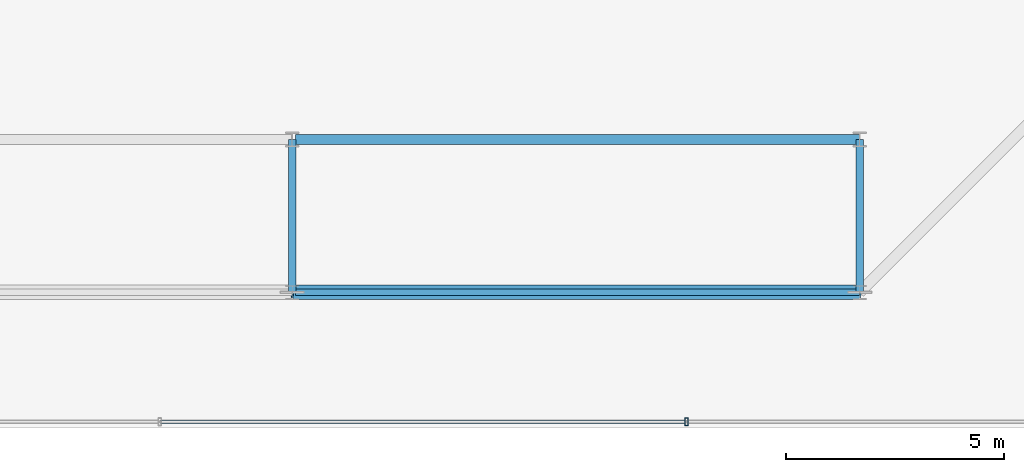
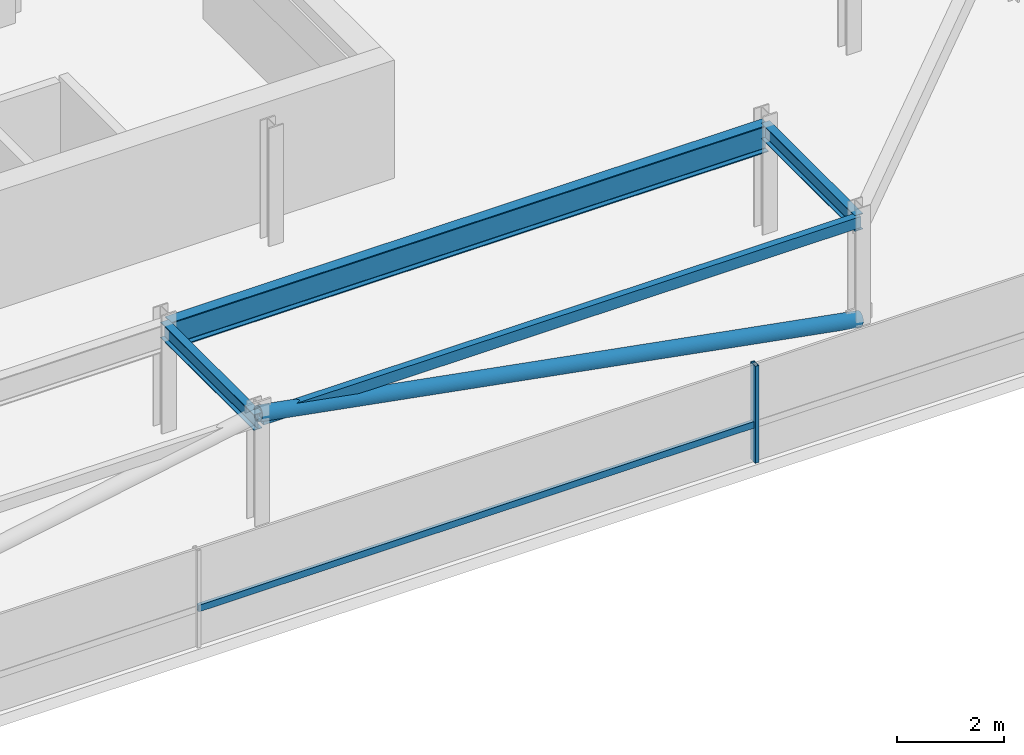
# One storey, part 10 of 42: 4 beams, 3 members, 1 element without a shape of its own.
"""IFC4 building model written with IfcOpenShell, lengths in metres."""

from ifc_helpers import new_model, si_unit, direction, frame, origin, origin_2d, place, context, subcontext, project, spatial, hollow_rectangle, hollow_circle, i_section, extrude, material, material_profile, profile_set, type_object, element, aggregate, save


model = new_model("IFC4")

# Units and contexts
model_context = context("Model", 3, precision=1e-05, world=origin(), true_north=direction((0.0, 1.0)))
body_context = subcontext(model_context, "Body", "Model", "MODEL_VIEW")
ifc_project = project(units=[si_unit("LENGTHUNIT", "METRE"), si_unit("AREAUNIT", "SQUARE_METRE"), si_unit("VOLUMEUNIT", "CUBIC_METRE"), si_unit("PLANEANGLEUNIT", "RADIAN"), si_unit("MASSUNIT", "GRAM", prefix="KILO")], contexts=[model_context])

# Site, building, storey
site_placement = place(None, origin())
site = spatial("IfcSite", under=ifc_project, at=site_placement, CompositionType="ELEMENT")
building_placement = place(site_placement, origin())
building = spatial("IfcBuilding", under=site, at=building_placement, Name="Thornwick Lancets Civic Towers", CompositionType="ELEMENT")
storey_placement = place(building_placement, frame((0.0, 0.0, 284.10009765625)))
storey = spatial("IfcBuildingStorey", under=building, at=storey_placement, Name="C02", CompositionType="ELEMENT", Elevation=284.10009765625)

# Beams
ifc_material_1 = material(Name="Steel S355JR", Category="steel")
ifc_material_profile_1 = material_profile(ifc_material_1, hollow_rectangle(XDim=0.14990234375, YDim=0.25, WallThickness=0.012451171875, at=origin_2d()), Name="RHS 250x150x12.5")
ifc_profile_set_1 = profile_set([ifc_material_profile_1], Name="Steel S355JR")
beam_type_1 = type_object("IfcBeamType", Name="BM_CROWN_RHS250", PredefinedType="BEAM", material=ifc_profile_set_1)
beam_1_placement = place(storey_placement, frame((25.580078125, 6.199951171875, 2.31494140625), z_axis=(1.0, 0.0, 0.0), x_axis=(0.0, 1.0, 0.0)))
element("IfcBeam", 1, at=beam_1_placement, inside=storey, type_object=beam_type_1, Name="BM-EDGE-C02-A-S0-2", PredefinedType="BEAM", context=body_context, shape_type="SweptSolid", body=[
    extrude(hollow_rectangle(XDim=0.14990234375, YDim=0.25, WallThickness=0.012451171875, at=origin_2d()), origin(), (0.0, 0.0, 1.0), 12.919921875),
])
ifc_material_profile_2 = material_profile(ifc_material_1, i_section(OverallWidth=0.230224609375, OverallDepth=0.6171875, WebThickness=0.01318359375, FlangeThickness=0.022216796875, FilletRadius=0.0126953125, at=origin_2d()), Name="UKB 610x229x140")
ifc_profile_set_2 = profile_set([ifc_material_profile_2], Name="Steel S355JR")
beam_type_2 = type_object("IfcBeamType", Name="BM_GIRD_610_140", PredefinedType="BEAM", material=ifc_profile_set_2)
beam_2_placement = place(storey_placement, frame((25.580078125, 9.699951171875, 2.13134765625), z_axis=(1.0, 0.0, 0.0), x_axis=(0.0, 1.0, 0.0)))
element("IfcBeam", 2, at=beam_2_placement, inside=storey, type_object=beam_type_2, Name="BM-SPINE-C02-A-1-2", PredefinedType="BEAM", context=body_context, shape_type="SweptSolid", body=[
    extrude(i_section(OverallWidth=0.230224609375, OverallDepth=0.6171875, WebThickness=0.01318359375, FlangeThickness=0.022216796875, FilletRadius=0.0126953125, at=origin_2d()), origin(), (0.0, 0.0, 1.0), 12.919921875),
])
ifc_material_profile_3 = material_profile(ifc_material_1, i_section(OverallWidth=0.173095703125, OverallDepth=0.36328125, WebThickness=0.009033203125, FlangeThickness=0.015625, FilletRadius=0.01025390625, at=origin_2d()), Name="UKB 356x171x67")
ifc_profile_set_3 = profile_set([ifc_material_profile_3], Name="Steel S355JR")
beam_type_3 = type_object("IfcBeamType", Name="BM_JOIST_356_67", PredefinedType="JOIST", material=ifc_profile_set_3)
for number, where, z_axis, x_axis, name in (
    (3, (25.5, 9.699951171875, 2.25830078125), (0.0, -1.0, 0.0), (1.0, 0.0, 0.0), "BM-RAD-C02-A02"),
    (4, (38.5, 9.699951171875, 2.25830078125), (0.0, -1.0, 0.0), (1.0, 0.0, 0.0), "BM-RAD-C02-A03"),
):
    element("IfcBeam", number, at=place(storey_placement, frame(where, z_axis=z_axis, x_axis=x_axis)), inside=storey, type_object=beam_type_3, Name=name, PredefinedType="JOIST", context=body_context, shape_type="SweptSolid", body=[
        extrude(i_section(OverallWidth=0.173095703125, OverallDepth=0.36328125, WebThickness=0.009033203125, FlangeThickness=0.015625, FilletRadius=0.01025390625, at=origin_2d()), origin(), (0.0, 0.0, 1.0), 3.5),
    ])

# Curtain wall, members
ifc_material_2 = material(Name="Crown ring acoustic-louvre and glazing screen wall", Category="glass")
curtain_wall_type = type_object("IfcCurtainWallType", Name="CW_SYS_07", PredefinedType="NOTDEFINED", material=ifc_material_2)
curtain_wall_placement = place(storey_placement, origin())
curtain_wall = element("IfcCurtainWall", 5, at=curtain_wall_placement, inside=storey, type_object=curtain_wall_type, Name="C02 Curtain Wall CW-C02-A-E0", PredefinedType="NOTDEFINED")
ifc_material_3 = material(Name="Thermally broken bronze aluminium S355", Category="steel")
ifc_material_profile_4 = material_profile(ifc_material_3, hollow_rectangle(XDim=0.074951171875, YDim=0.179931640625, WallThickness=0.006103515625, at=origin_2d()), Name="RHS 180x75x6")
ifc_profile_set_4 = profile_set([ifc_material_profile_4], Name="Thermally broken bronze aluminium S355")
member_type_1 = type_object("IfcMemberType", Name="CW_MUL_180", PredefinedType="MULLION", material=ifc_profile_set_4)
member_1_placement = place(storey_placement, frame((34.53369140625, 3.2353515625, 0.0), z_axis=(0.0, 0.0, 1.0), x_axis=(1.0, 0.0, 0.0)))
member_1 = element("IfcMember", 6, at=member_1_placement, type_object=member_type_1, Name="CW-C02-A-E0 Mullion 2", PredefinedType="MULLION", context=body_context, shape_type="SweptSolid", body=[
    extrude(hollow_rectangle(XDim=0.074951171875, YDim=0.179931640625, WallThickness=0.006103515625, at=origin_2d()), origin(), (0.0, 0.0, 1.0), 2.219970703125),
])
ifc_material_profile_5 = material_profile(ifc_material_3, hollow_rectangle(XDim=0.074951171875, YDim=0.14990234375, WallThickness=0.0048828125, at=origin_2d()), Name="RHS 150x75x5")
ifc_profile_set_5 = profile_set([ifc_material_profile_5], Name="Thermally broken bronze aluminium S355")
member_type_2 = type_object("IfcMemberType", Name="CW_TRN_150", PredefinedType="USERDEFINED", material=ifc_profile_set_5)
member_2_placement = place(storey_placement, frame((22.486083984375, 3.2353515625, 0.849853515625), z_axis=(1.0, 0.0, 0.0), x_axis=(0.0, 1.0, 0.0)))
member_2 = element("IfcMember", 7, at=member_2_placement, type_object=member_type_2, Name="CW-C02-A-E0 Transom 1", ObjectType="TRANSOM", PredefinedType="USERDEFINED", context=body_context, shape_type="SweptSolid", body=[
    extrude(hollow_rectangle(XDim=0.074951171875, YDim=0.14990234375, WallThickness=0.0048828125, at=origin_2d()), origin(), (0.0, 0.0, 1.0), 12.02783203125),
])
aggregate(curtain_wall, [member_1, member_2])

# Member
ifc_material_profile_6 = material_profile(ifc_material_1, hollow_circle(Radius=0.161865234375, WallThickness=0.01611328125, at=origin_2d()), Name="CHS 323.9x16")
ifc_profile_set_6 = profile_set([ifc_material_profile_6], Name="Steel S355JR")
member_type_3 = type_object("IfcMemberType", Name="MEM_CROWN_CHS324", PredefinedType="BRACE", material=ifc_profile_set_6)
member_3_placement = place(storey_placement, frame((38.5, 6.199951171875, 0.0498046875), z_axis=(-0.983515136313, 0.0, 0.180825818519), x_axis=(0.0, -1.0, 0.0)))
element("IfcMember", 8, at=member_3_placement, inside=storey, type_object=member_type_3, Name="C02 Crown Ring Lancet Rib A-S0-R", PredefinedType="BRACE", context=body_context, shape_type="SweptSolid", body=[
    extrude(hollow_circle(Radius=0.161865234375, WallThickness=0.01611328125, at=origin_2d()), origin(), (0.0, 0.0, 1.0), 13.2177734375),
])

save(model, "model.ifc")
